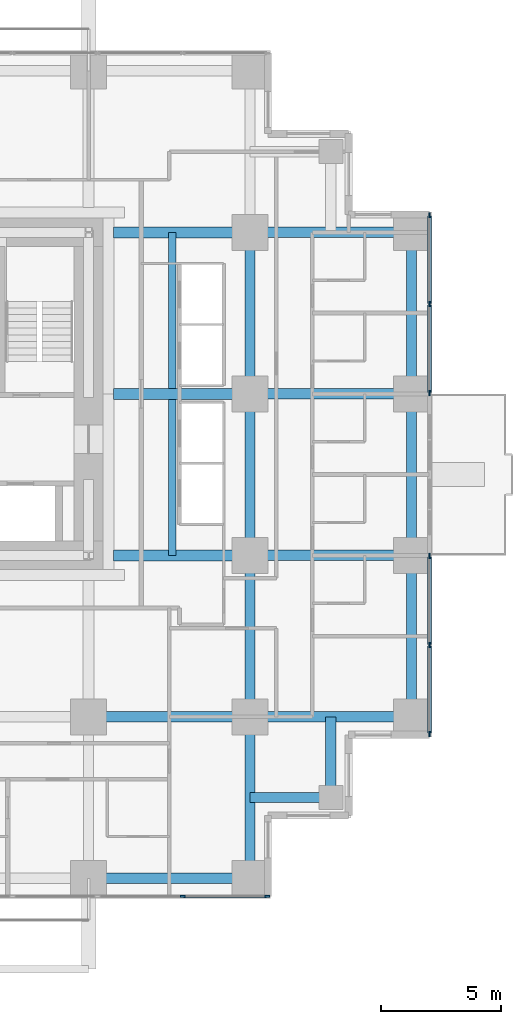
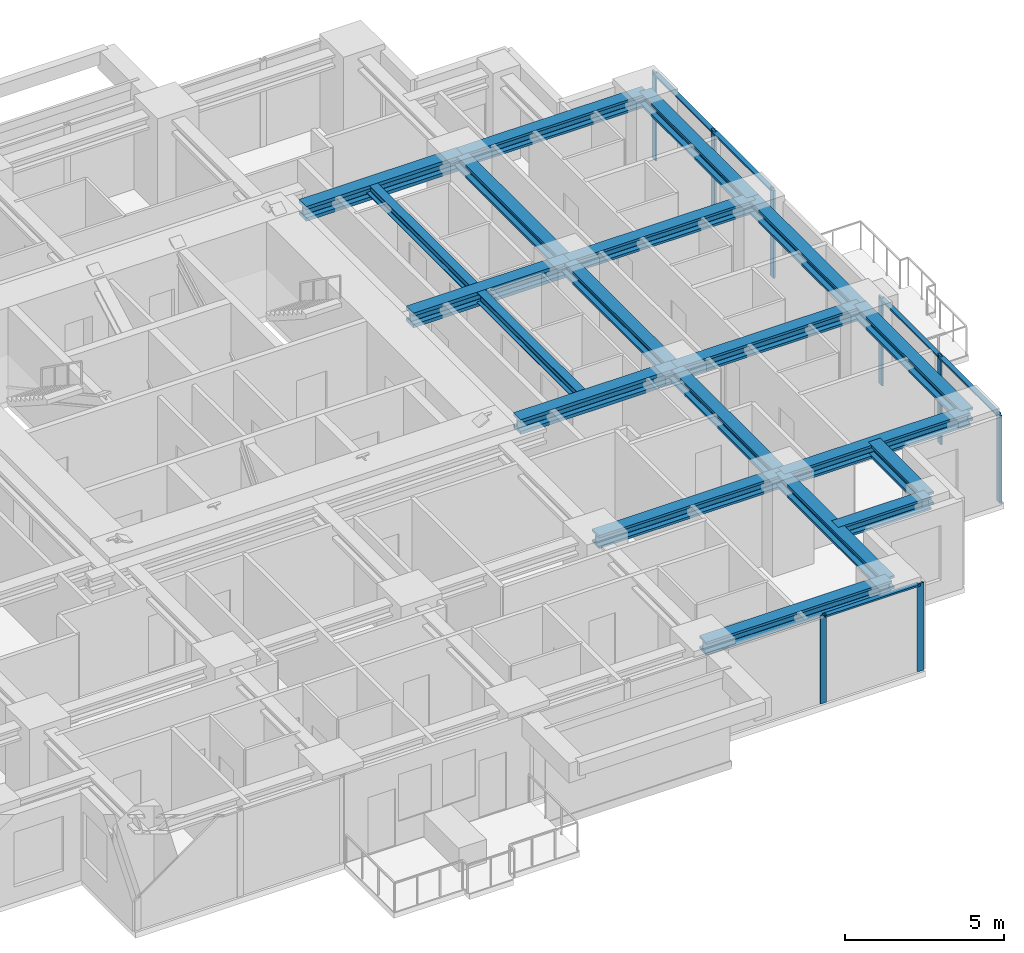
# One storey, part 4 of 13: 20 beams, 13 members, 3 elements without a shape of their own.
"""IFC4 building model written with IfcOpenShell, lengths in metres."""

from ifc_helpers import new_model, si_unit, direction, frame, origin, origin_2d, place, context, subcontext, project, spatial, rectangle, i_section, extrude, material, material_profile, profile_set, type_object, element, aggregate, save


model = new_model("IFC4")

# Units and contexts
model_context = context("Model", 3, precision=1e-05, world=origin(), true_north=direction((0.0, 1.0)))
body_context = subcontext(model_context, "Body", "Model", "MODEL_VIEW")
ifc_project = project(units=[si_unit("LENGTHUNIT", "METRE"), si_unit("AREAUNIT", "SQUARE_METRE"), si_unit("VOLUMEUNIT", "CUBIC_METRE"), si_unit("PLANEANGLEUNIT", "RADIAN"), si_unit("MASSUNIT", "GRAM", prefix="KILO")], contexts=[model_context])

# Site, building, storey
site_placement = place(None, origin())
site = spatial("IfcSite", under=ifc_project, at=site_placement, CompositionType="ELEMENT")
building_placement = place(site_placement, origin())
building = spatial("IfcBuilding", under=site, at=building_placement, Name="Nyansa Garden Tower", CompositionType="ELEMENT")
storey_placement = place(building_placement, frame((0.0, 0.0, 130.5)))
storey = spatial("IfcBuildingStorey", under=building, at=storey_placement, Name="L35", CompositionType="ELEMENT", Elevation=130.5)

# Curtain wall, members
ifc_material_1 = material(Name="Black anodised aluminium, dark tinted double glazing", Category="aluminium")
curtain_wall_type = type_object("IfcCurtainWallType", Name="Inner skin curtain wall ISW-B", PredefinedType="USERDEFINED", material=ifc_material_1)
curtain_wall_1_placement = place(storey_placement, origin())
curtain_wall_1 = element("IfcCurtainWall", 1, at=curtain_wall_1_placement, inside=storey, type_object=curtain_wall_type, Name="Inner skin curtain wall L35 E", ObjectType="UNITISED CURTAIN WALL", PredefinedType="USERDEFINED")
ifc_material_2 = material(Name="Black anodised aluminium", Category="aluminium")
ifc_material_profile_1 = material_profile(ifc_material_2, rectangle(XDim=0.06494140625, YDim=0.22509765625, at=origin_2d()), Name="Mullion 225x65")
ifc_profile_set_1 = profile_set([ifc_material_profile_1], Name="Black anodised aluminium")
member_type_1 = type_object("IfcMemberType", Name="Mullion ISW-B 225x65", PredefinedType="MULLION", material=ifc_profile_set_1)
member_1_placement = place(storey_placement, frame((41.25, 6.032470703125, 0.0), z_axis=(0.0, 0.0, 1.0), x_axis=(-1.0, 0.0, 0.0)))
member_1 = element("IfcMember", 2, at=member_1_placement, type_object=member_type_1, Name="ISW-B mullion 1", PredefinedType="MULLION", context=body_context, shape_type="SweptSolid", body=[
    extrude(rectangle(XDim=0.06494140625, YDim=0.22509765625, at=origin_2d()), origin(), (0.0, 0.0, 1.0), 3.375),
])
member_2_placement = place(storey_placement, frame((41.25, 9.75, 0.0), z_axis=(0.0, 0.0, 1.0), x_axis=(-1.0, 0.0, 0.0)))
member_2 = element("IfcMember", 3, at=member_2_placement, type_object=member_type_1, Name="ISW-B mullion 2", PredefinedType="MULLION", context=body_context, shape_type="SweptSolid", body=[
    extrude(rectangle(XDim=0.06494140625, YDim=0.22509765625, at=origin_2d()), origin(), (0.0, 0.0, 1.0), 3.375),
])
member_3_placement = place(storey_placement, frame((41.25, 13.467529296875, 0.0), z_axis=(0.0, 0.0, 1.0), x_axis=(-1.0, 0.0, 0.0)))
member_3 = element("IfcMember", 4, at=member_3_placement, type_object=member_type_1, Name="ISW-B mullion 3", PredefinedType="MULLION", context=body_context, shape_type="SweptSolid", body=[
    extrude(rectangle(XDim=0.06494140625, YDim=0.22509765625, at=origin_2d()), origin(), (0.0, 0.0, 1.0), 3.375),
])

curtain_wall_2_placement = place(storey_placement, origin())
curtain_wall_2 = element("IfcCurtainWall", 5, at=curtain_wall_2_placement, inside=storey, type_object=curtain_wall_type, Name="Inner skin curtain wall L35 E", ObjectType="UNITISED CURTAIN WALL", PredefinedType="USERDEFINED")
member_4_placement = place(storey_placement, frame((41.25, 20.282470703125, 0.0), z_axis=(0.0, 0.0, 1.0), x_axis=(-1.0, 0.0, 0.0)))
member_4 = element("IfcMember", 6, at=member_4_placement, type_object=member_type_1, Name="ISW-B mullion 1", PredefinedType="MULLION", context=body_context, shape_type="SweptSolid", body=[
    extrude(rectangle(XDim=0.06494140625, YDim=0.22509765625, at=origin_2d()), origin(), (0.0, 0.0, 1.0), 3.375),
])
member_5_placement = place(storey_placement, frame((41.25, 24.0, 0.0), z_axis=(0.0, 0.0, 1.0), x_axis=(-1.0, 0.0, 0.0)))
member_5 = element("IfcMember", 7, at=member_5_placement, type_object=member_type_1, Name="ISW-B mullion 2", PredefinedType="MULLION", context=body_context, shape_type="SweptSolid", body=[
    extrude(rectangle(XDim=0.06494140625, YDim=0.22509765625, at=origin_2d()), origin(), (0.0, 0.0, 1.0), 3.375),
])
member_6_placement = place(storey_placement, frame((41.25, 27.717529296875, 0.0), z_axis=(0.0, 0.0, 1.0), x_axis=(-1.0, 0.0, 0.0)))
member_6 = element("IfcMember", 8, at=member_6_placement, type_object=member_type_1, Name="ISW-B mullion 3", PredefinedType="MULLION", context=body_context, shape_type="SweptSolid", body=[
    extrude(rectangle(XDim=0.06494140625, YDim=0.22509765625, at=origin_2d()), origin(), (0.0, 0.0, 1.0), 3.375),
])

curtain_wall_3_placement = place(storey_placement, origin())
curtain_wall_3 = element("IfcCurtainWall", 9, at=curtain_wall_3_placement, inside=storey, type_object=curtain_wall_type, Name="Inner skin curtain wall L35 S", ObjectType="UNITISED CURTAIN WALL", PredefinedType="USERDEFINED")
member_7_placement = place(storey_placement, frame((30.9375, -0.75, 0.0), z_axis=(0.0, 0.0, 1.0), x_axis=(0.0, 1.0, 0.0)))
member_7 = element("IfcMember", 10, at=member_7_placement, type_object=member_type_1, Name="ISW-B mullion 4", PredefinedType="MULLION", context=body_context, shape_type="SweptSolid", body=[
    extrude(rectangle(XDim=0.06494140625, YDim=0.22509765625, at=origin_2d()), origin(), (0.0, 0.0, 1.0), 3.375),
])
member_8_placement = place(storey_placement, frame((34.467529296875, -0.75, 0.0), z_axis=(0.0, 0.0, 1.0), x_axis=(0.0, 1.0, 0.0)))
member_8 = element("IfcMember", 11, at=member_8_placement, type_object=member_type_1, Name="ISW-B mullion 5", PredefinedType="MULLION", context=body_context, shape_type="SweptSolid", body=[
    extrude(rectangle(XDim=0.06494140625, YDim=0.22509765625, at=origin_2d()), origin(), (0.0, 0.0, 1.0), 3.375),
])

# Beams
ifc_material_3 = material(Name="Steel S355", Category="steel")
ifc_material_profile_2 = material_profile(ifc_material_3, i_section(OverallWidth=0.431884765625, OverallDepth=0.498046875, WebThickness=0.0556640625, FlangeThickness=0.0888671875, FilletRadius=0.014892578125, at=origin_2d()), Name="HD 400x744")
ifc_profile_set_2 = profile_set([ifc_material_profile_2], Name="Steel S355")
beam_type_1 = type_object("IfcBeamType", Name="Steel beam SBB2-744 HD 400x744", PredefinedType="BEAM", material=ifc_profile_set_2)
for number, where, z_axis, x_axis, name in (
    (12, (27.0, 6.75, 3.1259765625), (1.0, 0.0, 0.0), (0.0, 1.0, 0.0), "Steel beam 6/E-7/E L36"),
    (13, (33.75, 0.0, 3.1259765625), (0.0, 1.0, 0.0), (-1.0, 0.0, 0.0), "Steel beam 7/D-7/E L36"),
    (14, (33.75, 6.75, 3.1259765625), (0.0, 1.0, 0.0), (-1.0, 0.0, 0.0), "Steel beam 7/E-7/F L36"),
    (15, (33.75, 6.75, 3.1259765625), (1.0, 0.0, 0.0), (0.0, 1.0, 0.0), "Steel beam 7/E-8/E L36"),
    (16, (33.75, 13.5, 3.1259765625), (0.0, 1.0, 0.0), (-1.0, 0.0, 0.0), "Steel beam 7/F-7/G L36"),
    (17, (33.75, 13.5, 3.1259765625), (1.0, 0.0, 0.0), (0.0, 1.0, 0.0), "Steel beam 7/F-8/F L36"),
    (18, (33.75, 20.25, 3.1259765625), (0.0, 1.0, 0.0), (-1.0, 0.0, 0.0), "Steel beam 7/G-7/H L36"),
    (19, (33.75, 20.25, 3.1259765625), (1.0, 0.0, 0.0), (0.0, 1.0, 0.0), "Steel beam 7/G-8/G L36"),
    (20, (33.75, 27.0, 3.1259765625), (1.0, 0.0, 0.0), (0.0, 1.0, 0.0), "Steel beam 7/H-8/H L36"),
):
    element("IfcBeam", number, at=place(storey_placement, frame(where, z_axis=z_axis, x_axis=x_axis)), inside=storey, type_object=beam_type_1, Name=name, PredefinedType="BEAM", context=body_context, shape_type="SweptSolid", body=[
        extrude(i_section(OverallWidth=0.431884765625, OverallDepth=0.498046875, WebThickness=0.0556640625, FlangeThickness=0.0888671875, FilletRadius=0.014892578125, at=origin_2d()), origin(), (0.0, 0.0, 1.0), 6.75),
    ])
ifc_material_4 = material(Name="Steel S355", Category="steel")
ifc_material_profile_3 = material_profile(ifc_material_4, i_section(OverallWidth=0.4541015625, OverallDepth=0.569091796875, WebThickness=0.077880859375, FlangeThickness=0.125, FilletRadius=0.014892578125, at=origin_2d()), Name="HD 400x1086")
ifc_profile_set_3 = profile_set([ifc_material_profile_3], Name="Steel S355")
beam_type_2 = type_object("IfcBeamType", Name="Steel beam SCL-1086 HD 400x1086", PredefinedType="BEAM", material=ifc_profile_set_3)
for number, where, z_axis, x_axis, name in (
    (21, (28.050048828125, 13.5, 3.090576171875), (1.0, 0.0, 0.0), (0.0, 1.0, 0.0), "Steel beam 28.050/F-7/F L36"),
    (22, (28.050048828125, 20.25, 3.090576171875), (1.0, 0.0, 0.0), (0.0, 1.0, 0.0), "Steel beam 28.050/G-7/G L36"),
    (23, (28.050048828125, 27.0, 3.090576171875), (1.0, 0.0, 0.0), (0.0, 1.0, 0.0), "Steel beam 28.050/H-7/H L36"),
):
    element("IfcBeam", number, at=place(storey_placement, frame(where, z_axis=z_axis, x_axis=x_axis)), inside=storey, type_object=beam_type_2, Name=name, PredefinedType="BEAM", context=body_context, shape_type="SweptSolid", body=[
        extrude(i_section(OverallWidth=0.4541015625, OverallDepth=0.569091796875, WebThickness=0.077880859375, FlangeThickness=0.125, FilletRadius=0.014892578125, at=origin_2d()), origin(), (0.0, 0.0, 1.0), 5.699951171875),
    ])
ifc_material_5 = material(Name="Steel S355", Category="steel")
ifc_material_profile_4 = material_profile(ifc_material_5, i_section(OverallWidth=0.431884765625, OverallDepth=0.498046875, WebThickness=0.0556640625, FlangeThickness=0.0888671875, FilletRadius=0.014892578125, at=origin_2d()), Name="HD 400x744")
ifc_profile_set_4 = profile_set([ifc_material_profile_4], Name="Steel S355")
beam_type_3 = type_object("IfcBeamType", Name="Steel beam SEBB-744 HD 400x744", PredefinedType="BEAM", material=ifc_profile_set_4)
for number, where, z_axis, x_axis, name in (
    (24, (27.0, 0.0, 3.1259765625), (1.0, 0.0, 0.0), (0.0, 1.0, 0.0), "Steel edge beam 6/D-7/D L36"),
    (25, (40.5, 6.75, 3.1259765625), (0.0, 1.0, 0.0), (-1.0, 0.0, 0.0), "Steel edge beam 8/E-8/F L36"),
    (26, (40.5, 13.5, 3.1259765625), (0.0, 1.0, 0.0), (-1.0, 0.0, 0.0), "Steel edge beam 8/F-8/G L36"),
    (27, (40.5, 20.25, 3.1259765625), (0.0, 1.0, 0.0), (-1.0, 0.0, 0.0), "Steel edge beam 8/G-8/H L36"),
):
    element("IfcBeam", number, at=place(storey_placement, frame(where, z_axis=z_axis, x_axis=x_axis)), inside=storey, type_object=beam_type_3, Name=name, PredefinedType="BEAM", context=body_context, shape_type="SweptSolid", body=[
        extrude(i_section(OverallWidth=0.431884765625, OverallDepth=0.498046875, WebThickness=0.0556640625, FlangeThickness=0.0888671875, FilletRadius=0.014892578125, at=origin_2d()), origin(), (0.0, 0.0, 1.0), 6.75),
    ])
ifc_material_6 = material(Name="Steel S355", Category="steel")
ifc_material_profile_5 = material_profile(ifc_material_6, i_section(OverallWidth=0.431884765625, OverallDepth=0.498046875, WebThickness=0.0556640625, FlangeThickness=0.0888671875, FilletRadius=0.014892578125, at=origin_2d()), Name="HD 400x744")
ifc_profile_set_5 = profile_set([ifc_material_profile_5], Name="Steel S355")
beam_type_4 = type_object("IfcBeamType", Name="Steel beam SSB1-744 HD 400x744", PredefinedType="BEAM", material=ifc_profile_set_5)
for number, where, z_axis, x_axis, name in (
    (28, (37.125, 3.375, 3.1259765625), (0.0, 1.0, 0.0), (-1.0, 0.0, 0.0), "Steel step beam 37.125/3.375 L36"),
    (29, (37.125, 3.375, 3.1259765625), (-1.0, 0.0, 0.0), (0.0, -1.0, 0.0), "Steel step beam 37.125/3.375 L36"),
):
    element("IfcBeam", number, at=place(storey_placement, frame(where, z_axis=z_axis, x_axis=x_axis)), inside=storey, type_object=beam_type_4, Name=name, PredefinedType="BEAM", context=body_context, shape_type="SweptSolid", body=[
        extrude(i_section(OverallWidth=0.431884765625, OverallDepth=0.498046875, WebThickness=0.0556640625, FlangeThickness=0.0888671875, FilletRadius=0.014892578125, at=origin_2d()), origin(), (0.0, 0.0, 1.0), 3.375),
    ])

# Member
ifc_material_7 = material(Name="Black anodised aluminium", Category="aluminium")
ifc_material_profile_6 = material_profile(ifc_material_7, rectangle(XDim=0.1650390625, YDim=0.06494140625, at=origin_2d()), Name="Transom 165x65")
ifc_profile_set_6 = profile_set([ifc_material_profile_6], Name="Black anodised aluminium")
member_type_2 = type_object("IfcMemberType", Name="Transom ISW-B 165x65", PredefinedType="USERDEFINED", material=ifc_profile_set_6)
member_9_placement = place(storey_placement, frame((41.25, 6.06494140625, 3.342529296875), z_axis=(0.0, 1.0, 0.0), x_axis=(-1.0, 0.0, 0.0)))
member_9 = element("IfcMember", 30, at=member_9_placement, type_object=member_type_2, Name="ISW-B transom 1", ObjectType="TRANSOM", PredefinedType="USERDEFINED", context=body_context, shape_type="SweptSolid", body=[
    extrude(rectangle(XDim=0.1650390625, YDim=0.06494140625, at=origin_2d()), origin(), (0.0, 0.0, 1.0), 3.652587890625),
])

member_10_placement = place(storey_placement, frame((41.25, 9.782470703125, 3.342529296875), z_axis=(0.0, 1.0, 0.0), x_axis=(-1.0, 0.0, 0.0)))
member_10 = element("IfcMember", 31, at=member_10_placement, type_object=member_type_2, Name="ISW-B transom 2", ObjectType="TRANSOM", PredefinedType="USERDEFINED", context=body_context, shape_type="SweptSolid", body=[
    extrude(rectangle(XDim=0.1650390625, YDim=0.06494140625, at=origin_2d()), origin(), (0.0, 0.0, 1.0), 3.652587890625),
])

aggregate(curtain_wall_1, [member_1, member_2, member_3, member_9, member_10])

member_11_placement = place(storey_placement, frame((41.25, 20.31494140625, 3.342529296875), z_axis=(0.0, 1.0, 0.0), x_axis=(-1.0, 0.0, 0.0)))
member_11 = element("IfcMember", 32, at=member_11_placement, type_object=member_type_2, Name="ISW-B transom 1", ObjectType="TRANSOM", PredefinedType="USERDEFINED", context=body_context, shape_type="SweptSolid", body=[
    extrude(rectangle(XDim=0.1650390625, YDim=0.06494140625, at=origin_2d()), origin(), (0.0, 0.0, 1.0), 3.652587890625),
])

member_12_placement = place(storey_placement, frame((41.25, 24.032470703125, 3.342529296875), z_axis=(0.0, 1.0, 0.0), x_axis=(-1.0, 0.0, 0.0)))
member_12 = element("IfcMember", 33, at=member_12_placement, type_object=member_type_2, Name="ISW-B transom 2", ObjectType="TRANSOM", PredefinedType="USERDEFINED", context=body_context, shape_type="SweptSolid", body=[
    extrude(rectangle(XDim=0.1650390625, YDim=0.06494140625, at=origin_2d()), origin(), (0.0, 0.0, 1.0), 3.652587890625),
])

aggregate(curtain_wall_2, [member_4, member_5, member_6, member_11, member_12])

member_13_placement = place(storey_placement, frame((30.969970703125, -0.75, 3.342529296875), z_axis=(1.0, 0.0, 0.0), x_axis=(0.0, 1.0, 0.0)))
member_13 = element("IfcMember", 34, at=member_13_placement, type_object=member_type_2, Name="ISW-B transom 4", ObjectType="TRANSOM", PredefinedType="USERDEFINED", context=body_context, shape_type="SweptSolid", body=[
    extrude(rectangle(XDim=0.1650390625, YDim=0.06494140625, at=origin_2d()), origin(), (0.0, 0.0, 1.0), 3.465087890625),
])

aggregate(curtain_wall_3, [member_7, member_8, member_13])

# Beams
ifc_material_8 = material(Name="Steel S355", Category="steel")
ifc_material_profile_7 = material_profile(ifc_material_8, i_section(OverallWidth=0.300048828125, OverallDepth=0.39990234375, WebThickness=0.013427734375, FlangeThickness=0.02392578125, FilletRadius=0.027099609375, at=origin_2d()), Name="HE 400 B")
ifc_profile_set_7 = profile_set([ifc_material_profile_7], Name="Steel S355")
beam_type_5 = type_object("IfcBeamType", Name="Trimmer beam TR1 HE 400 B", PredefinedType="BEAM", material=ifc_profile_set_7)
for number, where, z_axis, x_axis, name in (
    (35, (30.5, 13.5, 3.175048828125), (0.0, 1.0, 0.0), (-1.0, 0.0, 0.0), "Trimmer beam 1 L36"),
    (36, (30.5, 20.47705078125, 3.175048828125), (0.0, 1.0, 0.0), (-1.0, 0.0, 0.0), "Trimmer beam 2 L36"),
):
    element("IfcBeam", number, at=place(storey_placement, frame(where, z_axis=z_axis, x_axis=x_axis)), inside=storey, type_object=beam_type_5, Name=name, PredefinedType="BEAM", context=body_context, shape_type="SweptSolid", body=[
        extrude(i_section(OverallWidth=0.300048828125, OverallDepth=0.39990234375, WebThickness=0.013427734375, FlangeThickness=0.02392578125, FilletRadius=0.027099609375, at=origin_2d()), origin(), (0.0, 0.0, 1.0), 6.52294921875),
    ])

save(model, "model.ifc")
